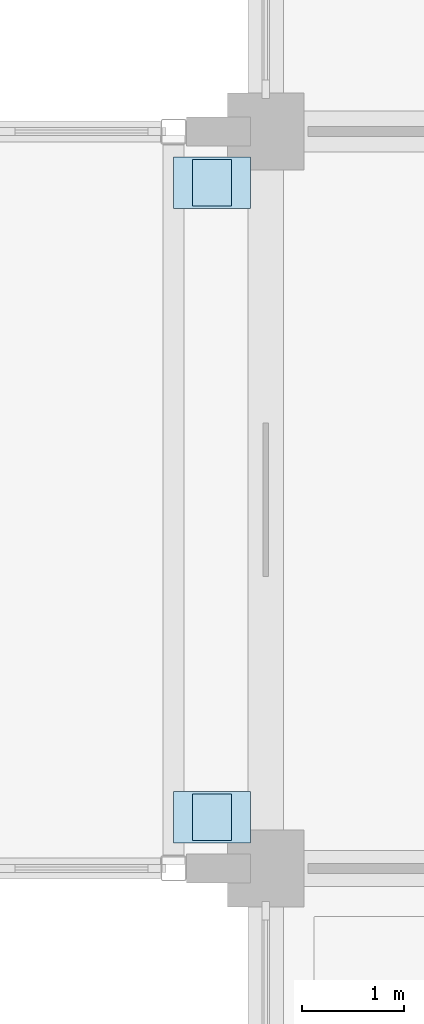
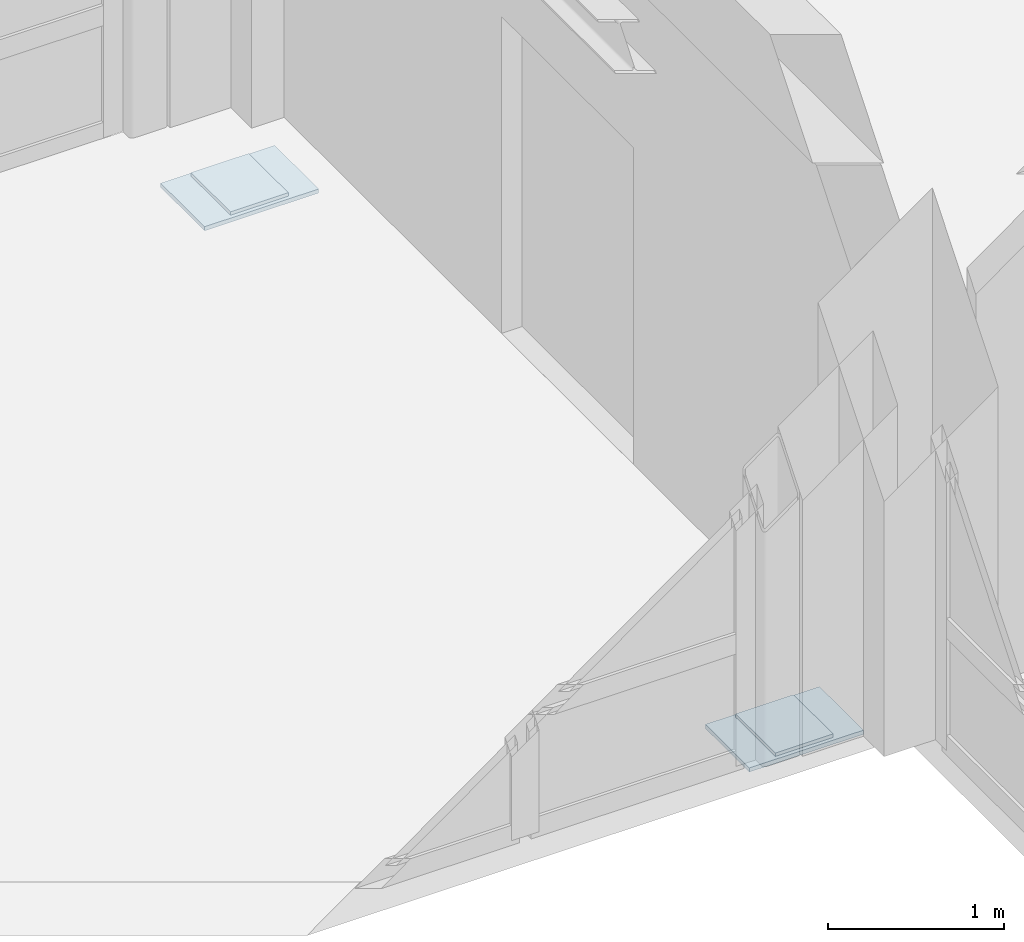
# One storey, part 108 of 136: 4 plates.
"""IFC4 building model written with IfcOpenShell, lengths in metres."""

from ifc_helpers import new_model, si_unit, direction, frame, origin, origin_2d, place, context, subcontext, project, spatial, rectangle, extrude, material, layer, layer_set, type_object, element, save


model = new_model("IFC4")

# Units and contexts
model_context = context("Model", 3, precision=1e-05, world=origin(), true_north=direction((0.0, 1.0)))
body_context = subcontext(model_context, "Body", "Model", "MODEL_VIEW")
ifc_project = project(units=[si_unit("LENGTHUNIT", "METRE"), si_unit("AREAUNIT", "SQUARE_METRE"), si_unit("VOLUMEUNIT", "CUBIC_METRE"), si_unit("PLANEANGLEUNIT", "RADIAN"), si_unit("MASSUNIT", "GRAM", prefix="KILO")], contexts=[model_context])

# Site, building, storey
site_placement = place(None, origin())
site = spatial("IfcSite", under=ifc_project, at=site_placement, CompositionType="ELEMENT")
building_placement = place(site_placement, origin())
building = spatial("IfcBuilding", under=site, at=building_placement, Name="Koriwan Promenade Central Fire Station", CompositionType="ELEMENT")
storey_placement = place(building_placement, frame((0.0, 0.0, 5.39990234375)))
storey = spatial("IfcBuildingStorey", under=building, at=storey_placement, Name="L01", CompositionType="ELEMENT", Elevation=5.39990234375)

# Plates
ifc_material = material(Name="Steel ASTM A572 Grade 50", Category="steel")
ifc_layer_1 = layer(ifc_material, 0.028076171875, Name="Steel ASTM A572 Grade 50")
ifc_layer_set_1 = layer_set([ifc_layer_1], Name="Steel ASTM A572 Grade 50")
plate_type_1 = type_object("IfcPlateType", Name="BearingCorbelSeat_750", PredefinedType="SHEET", material=ifc_layer_set_1)
for number, where, z_axis, x_axis, name in (
    (1, (150.675048828125, 43.699951171875, -0.3017578125), (0.0, 0.0, 1.0), (1.0, 0.0, 0.0), "East Transfer Link Bridge 750 mm bearing corbel seat 2"),
    (2, (150.675048828125, 49.89990234375, -0.3017578125), (0.0, 0.0, 1.0), (1.0, 0.0, 0.0), "East Transfer Link Bridge 750 mm bearing corbel seat 2"),
):
    element("IfcPlate", number, at=place(storey_placement, frame(where, z_axis=z_axis, x_axis=x_axis)), inside=storey, type_object=plate_type_1, Name=name, PredefinedType="SHEET", context=body_context, shape_type="SweptSolid", body=[
        extrude(rectangle(XDim=0.75, YDim=0.5, at=origin_2d()), origin(), (0.0, 0.0, 1.0), 0.028076171875),
    ])
ifc_layer_2 = layer(ifc_material, 0.02392578125, Name="Steel ASTM A572 Grade 50")
ifc_layer_set_2 = layer_set([ifc_layer_2], Name="Steel ASTM A572 Grade 50")
plate_type_2 = type_object("IfcPlateType", Name="BearingSeat_Bridge", PredefinedType="SHEET", material=ifc_layer_set_2)
for number, where, z_axis, x_axis, name in (
    (3, (150.675048828125, 43.699951171875, -0.27392578125), (0.0, 0.0, 1.0), (1.0, 0.0, 0.0), "East Transfer Link Bridge PTFE sliding bearing seat 2"),
    (4, (150.675048828125, 49.89990234375, -0.27392578125), (0.0, 0.0, 1.0), (1.0, 0.0, 0.0), "East Transfer Link Bridge PTFE sliding bearing seat 2"),
):
    element("IfcPlate", number, at=place(storey_placement, frame(where, z_axis=z_axis, x_axis=x_axis)), inside=storey, type_object=plate_type_2, Name=name, PredefinedType="SHEET", context=body_context, shape_type="SweptSolid", body=[
        extrude(rectangle(XDim=0.3798828125, YDim=0.449951171875, at=origin_2d()), origin(), (0.0, 0.0, 1.0), 0.02392578125),
    ])

save(model, "model.ifc")
